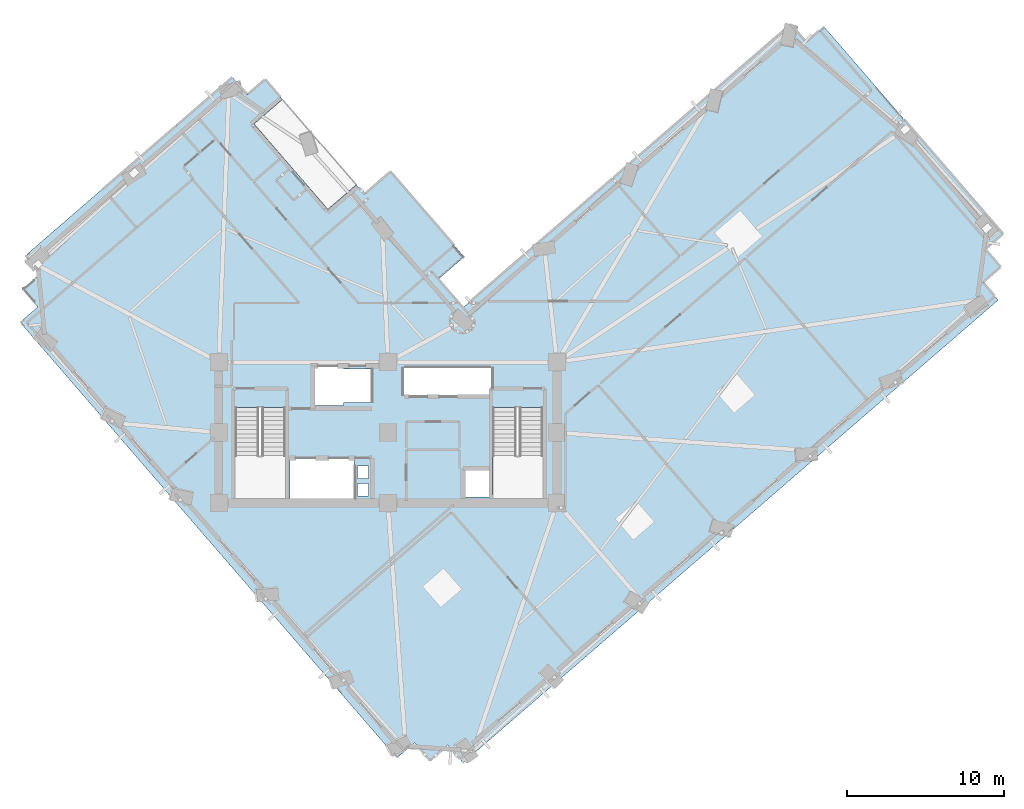
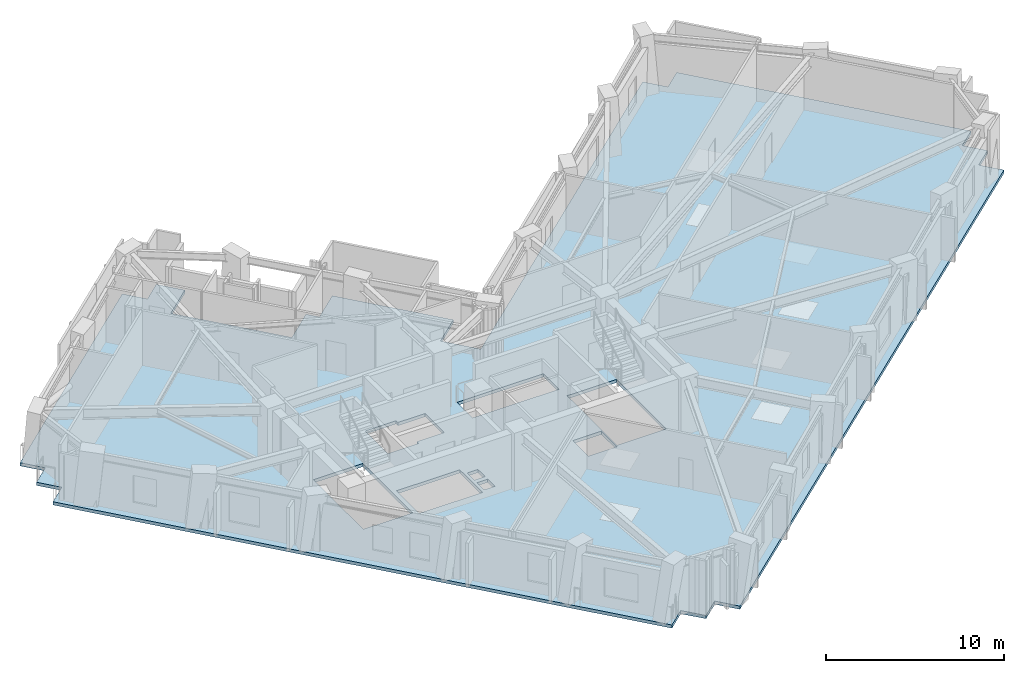
# One storey, part 3 of 14: 1 slab.
"""IFC4 building model written with IfcOpenShell, lengths in metres."""

from ifc_helpers import new_model, si_unit, direction, frame, origin, place, context, subcontext, project, spatial, polyline, outline, extrude, material, layer, layer_set, type_object, element, save


model = new_model("IFC4")

# Units and contexts
model_context = context("Model", 3, precision=1e-05, world=origin(), true_north=direction((0.0, 1.0)))
body_context = subcontext(model_context, "Body", "Model", "MODEL_VIEW")
ifc_project = project(units=[si_unit("LENGTHUNIT", "METRE"), si_unit("AREAUNIT", "SQUARE_METRE"), si_unit("VOLUMEUNIT", "CUBIC_METRE"), si_unit("PLANEANGLEUNIT", "RADIAN"), si_unit("MASSUNIT", "GRAM", prefix="KILO")], contexts=[model_context])

# Site, building, storey
site_placement = place(None, origin())
site = spatial("IfcSite", under=ifc_project, at=site_placement, CompositionType="ELEMENT")
building_placement = place(site_placement, origin())
building = spatial("IfcBuilding", under=site, at=building_placement, Name="Gaonmaruhae Medical Tower", CompositionType="ELEMENT")
storey_placement = place(building_placement, frame((0.0, 0.0, 197.800048828125)))
storey = spatial("IfcBuildingStorey", under=building, at=storey_placement, Name="L47", CompositionType="ELEMENT", Elevation=197.800048828125)

# Slab
ifc_material = material(Name="Concrete C40/50", Category="concrete")
ifc_layer = layer(ifc_material, 0.219970703125)
ifc_layer_set = layer_set([ifc_layer], Name="Concrete C40/50")
slab_type = type_object("IfcSlabType", Name="FS-220 Clinical Ward Composite Floor Slab", PredefinedType="FLOOR", material=ifc_layer_set)
slab_placement = place(storey_placement, frame((0.0, 0.0, -0.219970703125)))
element("IfcSlab", 1, at=slab_placement, inside=storey, type_object=slab_type, Name="L47 Structural Slab 1", PredefinedType="FLOOR", context=body_context, shape_type="SweptSolid", body=[
    extrude(outline(polyline([(50.53759765625, 38.388427734375), (51.518798828125, 37.25390625), (52.6533203125, 38.23486328125), (64.099853515625, 24.99755859375), (62.965087890625, 24.016357421875), (63.9462890625, 22.881591796875), (62.811767578125, 21.900634765625), (63.792724609375, 20.76611328125), (29.602294921875, -8.798583984375), (28.621337890625, -7.663818359375), (27.48681640625, -8.64501953125), (26.505615234375, -7.510498046875), (25.370849609375, -8.491455078125), (1.30078125, 19.344970703125), (2.435302734375, 20.326171875), (1.454345703125, 21.460693359375), (2.5888671875, 22.44189453125), (1.60791015625, 23.576416015625), (14.84521484375, 35.02294921875), (15.826416015625, 33.88818359375), (16.9609375, 34.869384765625), (18.072998046875, 33.58349609375), (16.257568359375, 32.013671875), (20.966796875, 26.5673828125), (22.7822265625, 28.13720703125), (23.305419921875, 27.531982421875), (24.9697265625, 28.970947265625), (29.67919921875, 23.52490234375), (28.014892578125, 22.085693359375), (29.584716796875, 20.2705078125), (50.53759765625, 38.388427734375)]), holes=[polyline([(23.550048828125, 8.25), (22.85009765625, 8.25), (22.85009765625, 9.050048828125), (23.550048828125, 9.050048828125), (23.550048828125, 8.25)]), polyline([(31.425048828125, 9.925048828125), (31.425048828125, 8.175048828125), (29.574951171875, 8.175048828125), (29.574951171875, 9.925048828125), (31.425048828125, 9.925048828125)]), polyline([(22.64990234375, 10.625), (22.64990234375, 8.074951171875), (18.550048828125, 8.074951171875), (18.550048828125, 10.625), (22.64990234375, 10.625)]), polyline([(23.550048828125, 9.35009765625), (22.85009765625, 9.35009765625), (22.85009765625, 10.14990234375), (23.550048828125, 10.14990234375), (23.550048828125, 9.35009765625)]), polyline([(15.050048828125, 13.889892578125), (18.25, 13.889892578125), (18.25, 8.300048828125), (15.050048828125, 8.300048828125), (15.050048828125, 13.889892578125)]), polyline([(31.5, 13.889892578125), (34.699951171875, 13.889892578125), (34.699951171875, 8.300048828125), (31.5, 8.300048828125), (31.5, 13.889892578125)]), polyline([(21.949951171875, 14.22509765625), (21.949951171875, 14.02490234375), (19.949951171875, 14.02490234375), (19.949951171875, 16.574951171875), (21.949951171875, 16.574951171875), (21.949951171875, 16.375), (23.72509765625, 16.375), (23.72509765625, 14.22509765625), (21.949951171875, 14.22509765625)]), polyline([(31.425048828125, 16.425048828125), (31.425048828125, 14.675048828125), (25.824951171875, 14.675048828125), (25.824951171875, 16.425048828125), (31.425048828125, 16.425048828125)])]), origin(), (0.0, 0.0, 1.0), 0.219970703125),
])

save(model, "model.ifc")
